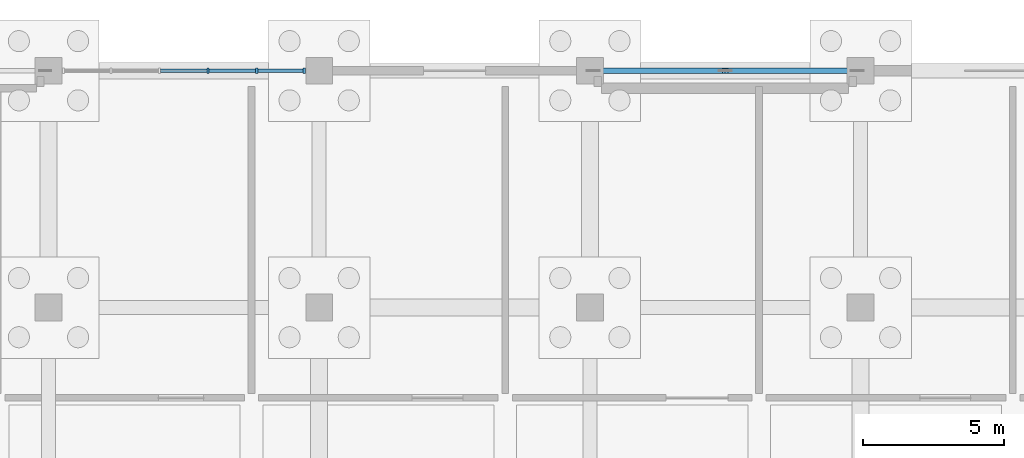
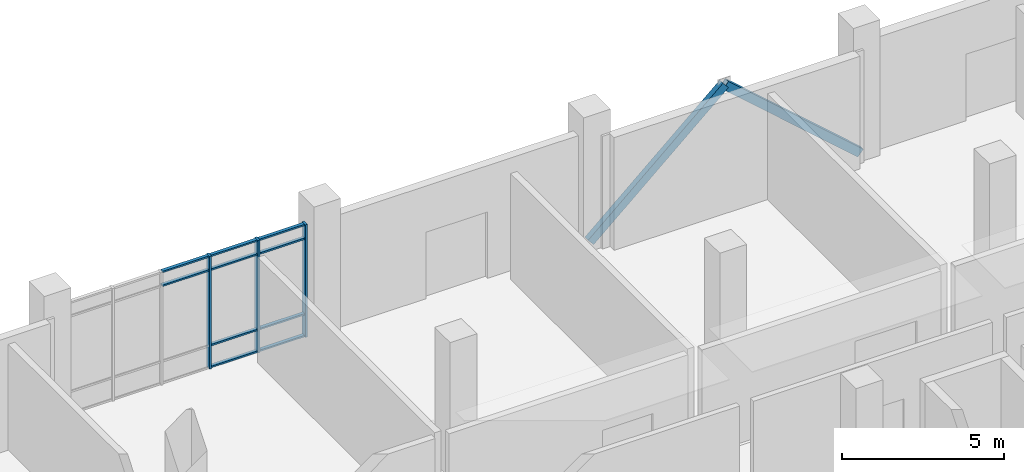
# One storey, part 71 of 136: 15 members, 1 element without a shape of its own.
"""IFC4 building model written with IfcOpenShell, lengths in metres."""

from ifc_helpers import new_model, si_unit, direction, frame, origin, origin_2d, place, context, subcontext, project, spatial, rectangle, hollow_rectangle, extrude, material, material_profile, profile_set, type_object, element, aggregate, save


model = new_model("IFC4")

# Units and contexts
model_context = context("Model", 3, precision=1e-05, world=origin(), true_north=direction((0.0, 1.0)))
body_context = subcontext(model_context, "Body", "Model", "MODEL_VIEW")
ifc_project = project(units=[si_unit("LENGTHUNIT", "METRE"), si_unit("AREAUNIT", "SQUARE_METRE"), si_unit("VOLUMEUNIT", "CUBIC_METRE"), si_unit("PLANEANGLEUNIT", "RADIAN"), si_unit("MASSUNIT", "GRAM", prefix="KILO")], contexts=[model_context])

# Site, building, storey
site_placement = place(None, origin())
site = spatial("IfcSite", under=ifc_project, at=site_placement, CompositionType="ELEMENT")
building_placement = place(site_placement, origin())
building = spatial("IfcBuilding", under=site, at=building_placement, Name="Oolite Switchyard Hospital", CompositionType="ELEMENT")
storey_placement = place(building_placement, origin())
storey = spatial("IfcBuildingStorey", under=building, at=storey_placement, Name="L00", CompositionType="ELEMENT", Elevation=0.0)

# Curtain wall, members
ifc_material_1 = material(Name="Thermally broken aluminum frame with laminated impact glazing", Category="aluminium")
curtain_wall_type = type_object("IfcCurtainWallType", Name="CW-UNIT-96X51", PredefinedType="USERDEFINED", material=ifc_material_1)
curtain_wall_placement = place(storey_placement, origin())
curtain_wall = element("IfcCurtainWall", 1, at=curtain_wall_placement, inside=storey, type_object=curtain_wall_type, Name="L00 Unitised Curtain Wall 50", ObjectType="UNITISED", PredefinedType="USERDEFINED")
ifc_material_2 = material(Name="Aluminium 6063-T6", Category="aluminium")
ifc_material_profile_1 = material_profile(ifc_material_2, rectangle(XDim=0.199951171875, YDim=0.074951171875, at=origin_2d()), Name="CWM75X200")
ifc_profile_set_1 = profile_set([ifc_material_profile_1], Name="Aluminium 6063-T6")
member_type_1 = type_object("IfcMemberType", Name="CW-MUL-260", PredefinedType="MULLION", material=ifc_profile_set_1)
member_1_placement = place(storey_placement, frame((168.862060546875, 134.39990234375, 0.0), z_axis=(0.0, 0.0, 1.0), x_axis=(0.0, 1.0, 0.0)))
member_1 = element("IfcMember", 2, at=member_1_placement, type_object=member_type_1, Name="CW-01 mullion 4", PredefinedType="MULLION", context=body_context, shape_type="SweptSolid", body=[
    extrude(rectangle(XDim=0.199951171875, YDim=0.074951171875, at=origin_2d()), origin(), (0.0, 0.0, 1.0), 4.239990234375),
])
member_2_placement = place(storey_placement, frame((170.5859375, 134.39990234375, 0.0), z_axis=(0.0, 0.0, 1.0), x_axis=(0.0, 1.0, 0.0)))
member_2 = element("IfcMember", 3, at=member_2_placement, type_object=member_type_1, Name="CW-01 mullion 5", PredefinedType="MULLION", context=body_context, shape_type="SweptSolid", body=[
    extrude(rectangle(XDim=0.199951171875, YDim=0.074951171875, at=origin_2d()), origin(), (0.0, 0.0, 1.0), 4.239990234375),
])
member_3_placement = place(storey_placement, frame((172.2724609375, 134.39990234375, 0.0), z_axis=(0.0, 0.0, 1.0), x_axis=(0.0, 1.0, 0.0)))
member_3 = element("IfcMember", 4, at=member_3_placement, type_object=member_type_1, Name="CW-01 mullion 6", PredefinedType="MULLION", context=body_context, shape_type="SweptSolid", body=[
    extrude(rectangle(XDim=0.199951171875, YDim=0.074951171875, at=origin_2d()), origin(), (0.0, 0.0, 1.0), 4.239990234375),
])
ifc_material_profile_2 = material_profile(ifc_material_2, rectangle(XDim=0.1201171875, YDim=0.06005859375, at=origin_2d()), Name="CWT60X120")
ifc_profile_set_2 = profile_set([ifc_material_profile_2], Name="Aluminium 6063-T6")
member_type_2 = type_object("IfcMemberType", Name="CW-TRN-150", PredefinedType="USERDEFINED", material=ifc_profile_set_2)
member_4_placement = place(storey_placement, frame((167.175537109375, 134.39990234375, 3.68994140625), z_axis=(1.0, 0.0, 0.0), x_axis=(0.0, 1.0, 0.0)))
member_4 = element("IfcMember", 5, at=member_4_placement, type_object=member_type_2, Name="CW-01 transom 3.3", ObjectType="TRANSOM", PredefinedType="USERDEFINED", context=body_context, shape_type="SweptSolid", body=[
    extrude(rectangle(XDim=0.1201171875, YDim=0.06005859375, at=origin_2d()), origin(), (0.0, 0.0, 1.0), 1.64892578125),
])
member_5_placement = place(storey_placement, frame((167.175537109375, 134.39990234375, 4.2099609375), z_axis=(1.0, 0.0, 0.0), x_axis=(0.0, 1.0, 0.0)))
member_5 = element("IfcMember", 6, at=member_5_placement, type_object=member_type_2, Name="CW-01 transom 3.4", ObjectType="TRANSOM", PredefinedType="USERDEFINED", context=body_context, shape_type="SweptSolid", body=[
    extrude(rectangle(XDim=0.1201171875, YDim=0.06005859375, at=origin_2d()), origin(), (0.0, 0.0, 1.0), 1.64892578125),
])
member_6_placement = place(storey_placement, frame((168.8994140625, 134.39990234375, 0.030029296875), z_axis=(1.0, 0.0, 0.0), x_axis=(0.0, 1.0, 0.0)))
member_6 = element("IfcMember", 7, at=member_6_placement, type_object=member_type_2, Name="CW-01 transom 4.1", ObjectType="TRANSOM", PredefinedType="USERDEFINED", context=body_context, shape_type="SweptSolid", body=[
    extrude(rectangle(XDim=0.1201171875, YDim=0.06005859375, at=origin_2d()), origin(), (0.0, 0.0, 1.0), 1.649169921875),
])
member_7_placement = place(storey_placement, frame((168.8994140625, 134.39990234375, 0.85009765625), z_axis=(1.0, 0.0, 0.0), x_axis=(0.0, 1.0, 0.0)))
member_7 = element("IfcMember", 8, at=member_7_placement, type_object=member_type_2, Name="CW-01 transom 4.2", ObjectType="TRANSOM", PredefinedType="USERDEFINED", context=body_context, shape_type="SweptSolid", body=[
    extrude(rectangle(XDim=0.1201171875, YDim=0.06005859375, at=origin_2d()), origin(), (0.0, 0.0, 1.0), 1.649169921875),
])
member_8_placement = place(storey_placement, frame((168.8994140625, 134.39990234375, 3.68994140625), z_axis=(1.0, 0.0, 0.0), x_axis=(0.0, 1.0, 0.0)))
member_8 = element("IfcMember", 9, at=member_8_placement, type_object=member_type_2, Name="CW-01 transom 4.3", ObjectType="TRANSOM", PredefinedType="USERDEFINED", context=body_context, shape_type="SweptSolid", body=[
    extrude(rectangle(XDim=0.1201171875, YDim=0.06005859375, at=origin_2d()), origin(), (0.0, 0.0, 1.0), 1.649169921875),
])
member_9_placement = place(storey_placement, frame((168.8994140625, 134.39990234375, 4.2099609375), z_axis=(1.0, 0.0, 0.0), x_axis=(0.0, 1.0, 0.0)))
member_9 = element("IfcMember", 10, at=member_9_placement, type_object=member_type_2, Name="CW-01 transom 4.4", ObjectType="TRANSOM", PredefinedType="USERDEFINED", context=body_context, shape_type="SweptSolid", body=[
    extrude(rectangle(XDim=0.1201171875, YDim=0.06005859375, at=origin_2d()), origin(), (0.0, 0.0, 1.0), 1.649169921875),
])
member_10_placement = place(storey_placement, frame((170.62353515625, 134.39990234375, 0.030029296875), z_axis=(1.0, 0.0, 0.0), x_axis=(0.0, 1.0, 0.0)))
member_10 = element("IfcMember", 11, at=member_10_placement, type_object=member_type_2, Name="CW-01 transom 5.1", ObjectType="TRANSOM", PredefinedType="USERDEFINED", context=body_context, shape_type="SweptSolid", body=[
    extrude(rectangle(XDim=0.1201171875, YDim=0.06005859375, at=origin_2d()), origin(), (0.0, 0.0, 1.0), 1.611572265625),
])
member_11_placement = place(storey_placement, frame((170.62353515625, 134.39990234375, 0.85009765625), z_axis=(1.0, 0.0, 0.0), x_axis=(0.0, 1.0, 0.0)))
member_11 = element("IfcMember", 12, at=member_11_placement, type_object=member_type_2, Name="CW-01 transom 5.2", ObjectType="TRANSOM", PredefinedType="USERDEFINED", context=body_context, shape_type="SweptSolid", body=[
    extrude(rectangle(XDim=0.1201171875, YDim=0.06005859375, at=origin_2d()), origin(), (0.0, 0.0, 1.0), 1.611572265625),
])
member_12_placement = place(storey_placement, frame((170.62353515625, 134.39990234375, 3.68994140625), z_axis=(1.0, 0.0, 0.0), x_axis=(0.0, 1.0, 0.0)))
member_12 = element("IfcMember", 13, at=member_12_placement, type_object=member_type_2, Name="CW-01 transom 5.3", ObjectType="TRANSOM", PredefinedType="USERDEFINED", context=body_context, shape_type="SweptSolid", body=[
    extrude(rectangle(XDim=0.1201171875, YDim=0.06005859375, at=origin_2d()), origin(), (0.0, 0.0, 1.0), 1.611572265625),
])
member_13_placement = place(storey_placement, frame((170.62353515625, 134.39990234375, 4.2099609375), z_axis=(1.0, 0.0, 0.0), x_axis=(0.0, 1.0, 0.0)))
member_13 = element("IfcMember", 14, at=member_13_placement, type_object=member_type_2, Name="CW-01 transom 5.4", ObjectType="TRANSOM", PredefinedType="USERDEFINED", context=body_context, shape_type="SweptSolid", body=[
    extrude(rectangle(XDim=0.1201171875, YDim=0.06005859375, at=origin_2d()), origin(), (0.0, 0.0, 1.0), 1.611572265625),
])
aggregate(curtain_wall, [member_1, member_2, member_3, member_4, member_5, member_6, member_7, member_8, member_9, member_10, member_11, member_12, member_13])

# Members
ifc_material_3 = material(Name="Steel ASTM A500 Grade C", Category="steel")
ifc_material_profile_3 = material_profile(ifc_material_3, hollow_rectangle(XDim=0.202880859375, YDim=0.304931640625, WallThickness=0.012939453125, at=origin_2d()), Name="HSS305X203X13")
ifc_profile_set_3 = profile_set([ifc_material_profile_3], Name="Steel ASTM A500 Grade C")
member_type_3 = type_object("IfcMemberType", Name="MEM-BR-RHS305", PredefinedType="BRACE", material=ifc_profile_set_3)
for number, where, z_axis, x_axis, name in (
    (15, (182.39990234375, 134.39990234375, 0.02001953125), (0.750253081446, 0.0, 0.661150749664), (0.0, 1.0, 0.0), "L00 Chevron Brace 45"),
    (16, (192.0, 134.39990234375, 0.02001953125), (-0.750253081446, 0.0, 0.661150749664), (0.0, -1.0, 0.0), "L00 Chevron Brace 46"),
):
    element("IfcMember", number, at=place(storey_placement, frame(where, z_axis=z_axis, x_axis=x_axis)), inside=storey, type_object=member_type_3, Name=name, PredefinedType="BRACE", context=body_context, shape_type="SweptSolid", body=[
        extrude(hollow_rectangle(XDim=0.202880859375, YDim=0.304931640625, WallThickness=0.012939453125, at=origin_2d()), origin(), (0.0, 0.0, 1.0), 6.39794921875),
    ])

save(model, "model.ifc")
